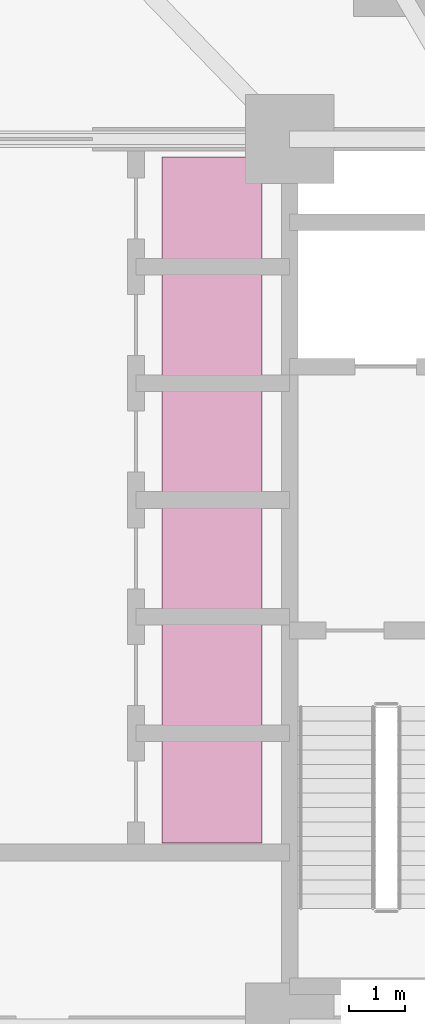
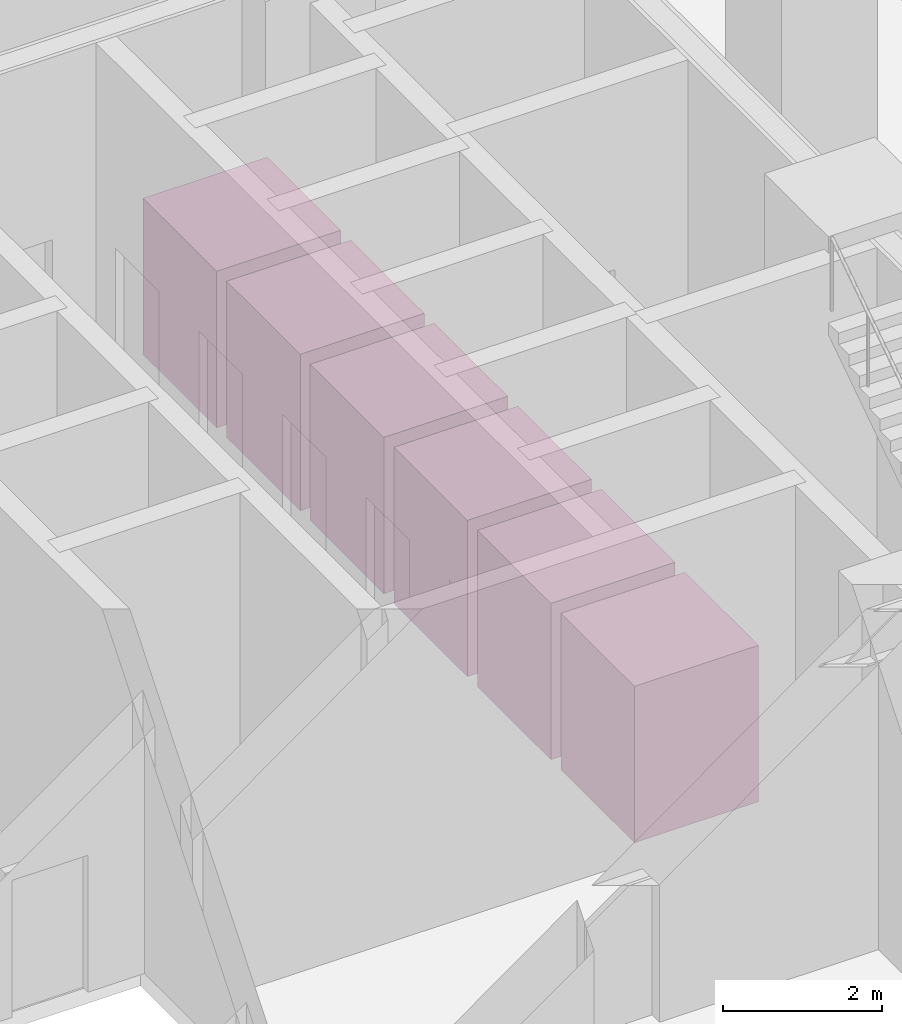
# One storey, part 30 of 30: 6 transport elements.
"""IFC4 building model written with IfcOpenShell, lengths in metres."""

from ifc_helpers import new_model, si_unit, direction, frame, origin, origin_2d, place, context, subcontext, project, spatial, rectangle, extrude, material, type_object, element, save


model = new_model("IFC4")

# Units and contexts
model_context = context("Model", 3, precision=1e-05, world=origin(), true_north=direction((0.0, 1.0)))
body_context = subcontext(model_context, "Body", "Model", "MODEL_VIEW")
ifc_project = project(units=[si_unit("LENGTHUNIT", "METRE"), si_unit("AREAUNIT", "SQUARE_METRE"), si_unit("VOLUMEUNIT", "CUBIC_METRE"), si_unit("PLANEANGLEUNIT", "RADIAN"), si_unit("MASSUNIT", "GRAM", prefix="KILO")], contexts=[model_context])

# Site, building, storey
site_placement = place(None, origin())
site = spatial("IfcSite", under=ifc_project, at=site_placement, CompositionType="ELEMENT")
building_placement = place(site_placement, origin())
building = spatial("IfcBuilding", under=site, at=building_placement, Name="Terralouvre Media Tower", CompositionType="ELEMENT")
storey_placement = place(building_placement, origin())
storey = spatial("IfcBuildingStorey", under=building, at=storey_placement, Name="L00", CompositionType="ELEMENT", Elevation=0.0)

# Transport elements
ifc_material = material(Name="Stainless steel 316 handrail and balustrade", Category="steel")
transport_element_type = type_object("IfcTransportElementType", Name="Mid- and High-Rise Passenger Lift Car PLH-CAR", PredefinedType="ELEVATOR", material=ifc_material)
for number, where, z_axis, x_axis, name in (
    (1, (3.050048828125, 2.550048828125, 0.02001953125), (0.0, 0.0, 1.0), (1.0, 0.0, 0.0), "Vertical Lift Car PL-M1"),
    (2, (3.050048828125, 4.64990234375, 0.02001953125), (0.0, 0.0, 1.0), (1.0, 0.0, 0.0), "Vertical Lift Car PL-M2"),
    (3, (3.050048828125, 6.75, 0.02001953125), (0.0, 0.0, 1.0), (1.0, 0.0, 0.0), "Vertical Lift Car PL-M3"),
    (4, (3.050048828125, -3.75, 0.02001953125), (0.0, 0.0, 1.0), (1.0, 0.0, 0.0), "Vertical Lift Car PL-H1"),
    (5, (3.050048828125, -1.64990234375, 0.02001953125), (0.0, 0.0, 1.0), (1.0, 0.0, 0.0), "Vertical Lift Car PL-H2"),
    (6, (3.050048828125, 0.449951171875, 0.02001953125), (0.0, 0.0, 1.0), (1.0, 0.0, 0.0), "Vertical Lift Car PL-H3"),
):
    element("IfcTransportElement", number, at=place(storey_placement, frame(where, z_axis=z_axis, x_axis=x_axis)), inside=storey, type_object=transport_element_type, Name=name, PredefinedType="ELEVATOR", context=body_context, shape_type="SweptSolid", body=[
        extrude(rectangle(XDim=1.800048828125, YDim=1.85009765625, at=origin_2d()), origin(), (0.0, 0.0, 1.0), 2.39990234375),
    ])

save(model, "model.ifc")
